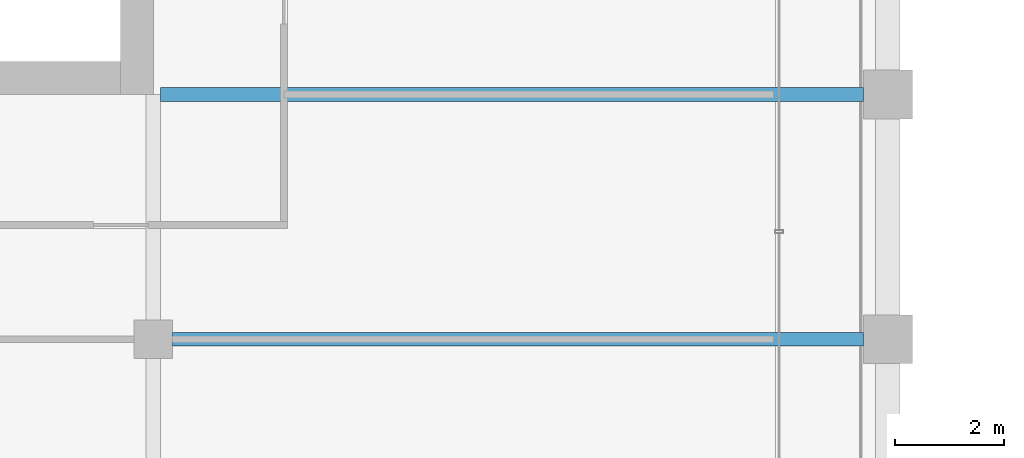
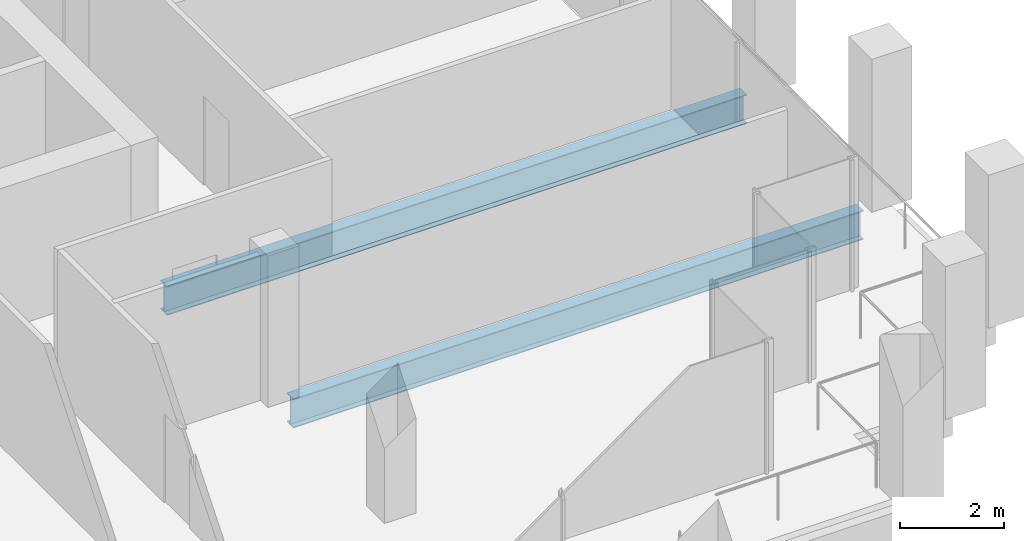
# One storey, part 14 of 40: 2 beams.
"""IFC4 building model written with IfcOpenShell, lengths in metres."""

from ifc_helpers import new_model, si_unit, direction, frame, origin, origin_2d, place, context, subcontext, project, spatial, i_section, extrude, material, material_profile, profile_set, type_object, element, save


model = new_model("IFC4")

# Units and contexts
model_context = context("Model", 3, precision=1e-05, world=origin(), true_north=direction((0.0, 1.0)))
body_context = subcontext(model_context, "Body", "Model", "MODEL_VIEW")
ifc_project = project(units=[si_unit("LENGTHUNIT", "METRE"), si_unit("AREAUNIT", "SQUARE_METRE"), si_unit("VOLUMEUNIT", "CUBIC_METRE"), si_unit("PLANEANGLEUNIT", "RADIAN"), si_unit("MASSUNIT", "GRAM", prefix="KILO")], contexts=[model_context])

# Site, building, storey
site_placement = place(None, origin())
site = spatial("IfcSite", under=ifc_project, at=site_placement, CompositionType="ELEMENT")
building_placement = place(site_placement, origin())
building = spatial("IfcBuilding", under=site, at=building_placement, Name="Altepetl Exchange Towers", CompositionType="ELEMENT")
storey_placement = place(building_placement, frame((0.0, 0.0, 176.199951171875)))
storey = spatial("IfcBuildingStorey", under=building, at=storey_placement, Name="L44", CompositionType="ELEMENT", Elevation=176.199951171875)

# Beams
ifc_material = material(Name="Steel S355", Category="steel")
ifc_material_profile = material_profile(ifc_material, i_section(OverallWidth=0.25390625, OverallDepth=0.68408203125, WebThickness=0.012451171875, FlangeThickness=0.018798828125, at=origin_2d()), Name="W27X94")
ifc_profile_set = profile_set([ifc_material_profile], Name="Steel S355")
beam_type = type_object("IfcBeamType", Name="Floor beam W27X94", PredefinedType="BEAM", material=ifc_profile_set)
beam_1_placement = place(storey_placement, frame((58.85009765625, 36.0, -0.491943359375), z_axis=(1.0, 0.0, 0.0), x_axis=(0.0, 1.0, 0.0)))
element("IfcBeam", 1, at=beam_1_placement, inside=storey, type_object=beam_type, Name="bm:A:L44:007", PredefinedType="BEAM", context=body_context, shape_type="SweptSolid", body=[
    extrude(i_section(OverallWidth=0.25390625, OverallDepth=0.68408203125, WebThickness=0.012451171875, FlangeThickness=0.018798828125, at=origin_2d()), origin(), (0.0, 0.0, 1.0), 12.699951171875),
])
beam_2_placement = place(storey_placement, frame((58.634033203125, 40.5, -0.491943359375), z_axis=(1.0, 0.0, 0.0), x_axis=(0.0, 1.0, 0.0)))
element("IfcBeam", 2, at=beam_2_placement, inside=storey, type_object=beam_type, Name="bm:A:L44:008", PredefinedType="BEAM", context=body_context, shape_type="SweptSolid", body=[
    extrude(i_section(OverallWidth=0.25390625, OverallDepth=0.68408203125, WebThickness=0.012451171875, FlangeThickness=0.018798828125, at=origin_2d()), origin(), (0.0, 0.0, 1.0), 12.916015625),
])

save(model, "model.ifc")
